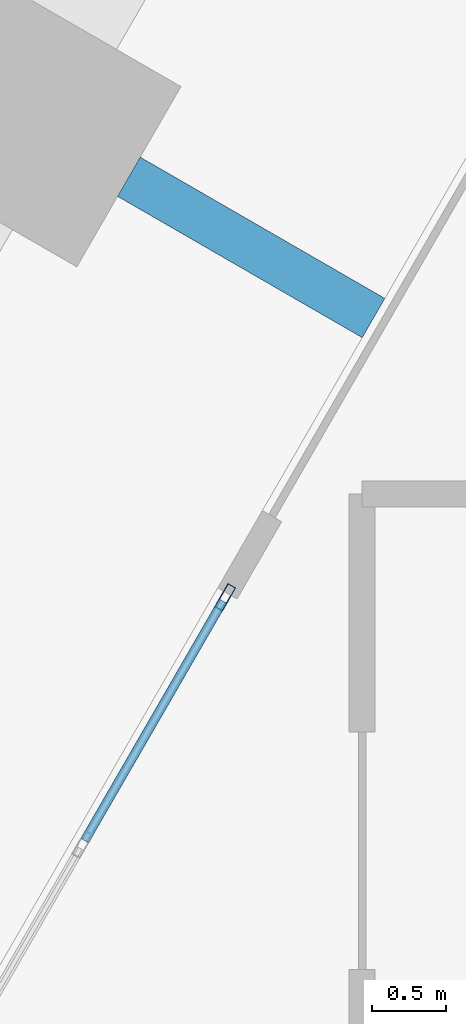
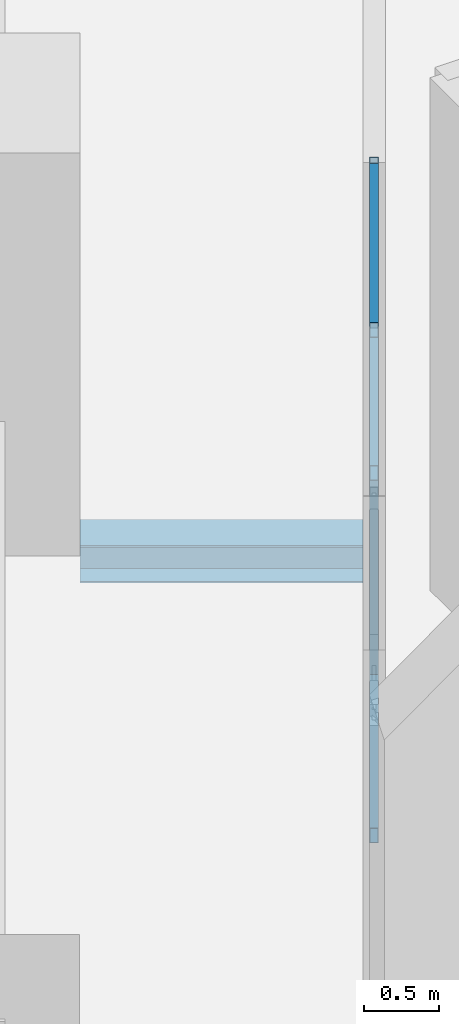
# One storey, part 27 of 71: 4 members, 1 beam, 1 element without a shape of its own.
"""IFC4 building model written with IfcOpenShell, lengths in metres."""

from ifc_helpers import new_model, si_unit, direction, frame, origin, origin_2d, place, context, subcontext, project, spatial, hollow_rectangle, i_section, extrude, material, material_profile, profile_set, type_object, element, aggregate, save


model = new_model("IFC4")

# Units and contexts
model_context = context("Model", 3, precision=1e-05, world=origin(), true_north=direction((0.0, 1.0)))
body_context = subcontext(model_context, "Body", "Model", "MODEL_VIEW")
ifc_project = project(units=[si_unit("LENGTHUNIT", "METRE"), si_unit("AREAUNIT", "SQUARE_METRE"), si_unit("VOLUMEUNIT", "CUBIC_METRE"), si_unit("PLANEANGLEUNIT", "RADIAN"), si_unit("MASSUNIT", "GRAM", prefix="KILO")], contexts=[model_context])

# Site, building, storey
site_placement = place(None, origin())
site = spatial("IfcSite", under=ifc_project, at=site_placement, CompositionType="ELEMENT")
building_placement = place(site_placement, origin())
building = spatial("IfcBuilding", under=site, at=building_placement, Name="Ostrander Bayou Hotel Tower", CompositionType="ELEMENT")
storey_placement = place(building_placement, frame((0.0, 0.0, 10.0)))
storey = spatial("IfcBuildingStorey", under=building, at=storey_placement, Name="L02", CompositionType="ELEMENT", Elevation=10.0)

# Curtain wall, members
ifc_material_1 = material(Name="Aluminium and clear glass", Category="aluminium")
curtain_wall_type = type_object("IfcCurtainWallType", Name="CW-SKY amenity glass wall", PredefinedType="NOTDEFINED", material=ifc_material_1)
curtain_wall_placement = place(storey_placement, origin())
curtain_wall = element("IfcCurtainWall", 1, at=curtain_wall_placement, inside=storey, type_object=curtain_wall_type, Name="CW-SKY L02 NW 3", PredefinedType="NOTDEFINED")
ifc_material_2 = material(Name="Aluminium", Category="aluminium")
ifc_material_profile_1 = material_profile(ifc_material_2, hollow_rectangle(XDim=0.06005859375, YDim=0.179931640625, WallThickness=0.00390625, at=origin_2d()))
ifc_profile_set_1 = profile_set([ifc_material_profile_1], Name="Aluminium")
member_type_1 = type_object("IfcMemberType", Name="CW-SK mullion 60 x 180 mm", PredefinedType="MULLION", material=ifc_profile_set_1)
member_1_placement = place(storey_placement, frame((-14.92138671875, 11.005126953125, 0.0), z_axis=(0.0, 0.0, 1.0), x_axis=(0.866025463091, -0.499999897278, 0.0)))
member_1 = element("IfcMember", 2, at=member_1_placement, type_object=member_type_1, Name="CW-SKY mullion 1", PredefinedType="MULLION", context=body_context, shape_type="SweptSolid", body=[
    extrude(hollow_rectangle(XDim=0.06005859375, YDim=0.179931640625, WallThickness=0.00390625, at=origin_2d()), origin(), (0.0, 0.0, 1.0), 4.199951171875),
])
ifc_material_3 = material(Name="Aluminium", Category="aluminium")
ifc_material_profile_2 = material_profile(ifc_material_3, hollow_rectangle(XDim=0.06005859375, YDim=0.1201171875, WallThickness=0.00390625, at=origin_2d()))
ifc_profile_set_2 = profile_set([ifc_material_profile_2], Name="Aluminium")
member_type_2 = type_object("IfcMemberType", Name="CW-SK transom 60 x 120 mm", PredefinedType="USERDEFINED", material=ifc_profile_set_2)
member_2_placement = place(storey_placement, frame((-14.9365234375, 10.979248046875, 0.030029296875), z_axis=(-0.499964847546, -0.866045698112, 0.0), x_axis=(0.866045698112, -0.499964847546, 0.0)))
member_2 = element("IfcMember", 3, at=member_2_placement, type_object=member_type_2, Name="CW-SKY transom 1.1", ObjectType="TRANSOM", PredefinedType="USERDEFINED", context=body_context, shape_type="SweptSolid", body=[
    extrude(hollow_rectangle(XDim=0.06005859375, YDim=0.1201171875, WallThickness=0.00390625, at=origin_2d()), origin(), (0.0, 0.0, 1.0), 1.860107421875),
])
member_3_placement = place(storey_placement, frame((-14.9365234375, 10.979248046875, 3.0), z_axis=(-0.499964847546, -0.866045698112, 0.0), x_axis=(0.866045698112, -0.499964847546, 0.0)))
member_3 = element("IfcMember", 4, at=member_3_placement, type_object=member_type_2, Name="CW-SKY transom 1.2", ObjectType="TRANSOM", PredefinedType="USERDEFINED", context=body_context, shape_type="SweptSolid", body=[
    extrude(hollow_rectangle(XDim=0.06005859375, YDim=0.1201171875, WallThickness=0.00390625, at=origin_2d()), origin(), (0.0, 0.0, 1.0), 1.860107421875),
])
member_4_placement = place(storey_placement, frame((-14.9365234375, 10.979248046875, 4.169921875), z_axis=(-0.499964847546, -0.866045698112, 0.0), x_axis=(0.866045698112, -0.499964847546, 0.0)))
member_4 = element("IfcMember", 5, at=member_4_placement, type_object=member_type_2, Name="CW-SKY transom 1.3", ObjectType="TRANSOM", PredefinedType="USERDEFINED", context=body_context, shape_type="SweptSolid", body=[
    extrude(hollow_rectangle(XDim=0.06005859375, YDim=0.1201171875, WallThickness=0.00390625, at=origin_2d()), origin(), (0.0, 0.0, 1.0), 1.860107421875),
])
aggregate(curtain_wall, [member_1, member_2, member_3, member_4])

# Beam
ifc_material_4 = material(Name="Steel ASTM A992", Category="steel")
ifc_material_profile_3 = material_profile(ifc_material_4, i_section(OverallWidth=0.3046875, OverallDepth=0.307861328125, WebThickness=0.010009765625, FlangeThickness=0.015380859375, at=origin_2d()))
ifc_profile_set_3 = profile_set([ifc_material_profile_3], Name="Steel ASTM A992")
beam_type = type_object("IfcBeamType", Name="LB1 loggia bracket W12x65", PredefinedType="BEAM", material=ifc_profile_set_3)
beam_placement = place(storey_placement, frame((-15.569091796875, 13.833251953125, -0.453857421875), z_axis=(0.86601224135, -0.500022797313, 0.0), x_axis=(0.500022797313, 0.86601224135, 0.0)))
element("IfcBeam", 6, at=beam_placement, inside=storey, type_object=beam_type, Name="LB1 L02 NW1", PredefinedType="BEAM", context=body_context, shape_type="SweptSolid", body=[
    extrude(i_section(OverallWidth=0.3046875, OverallDepth=0.307861328125, WebThickness=0.010009765625, FlangeThickness=0.015380859375, at=origin_2d()), origin(), (0.0, 0.0, 1.0), 1.89990234375),
])

save(model, "model.ifc")
